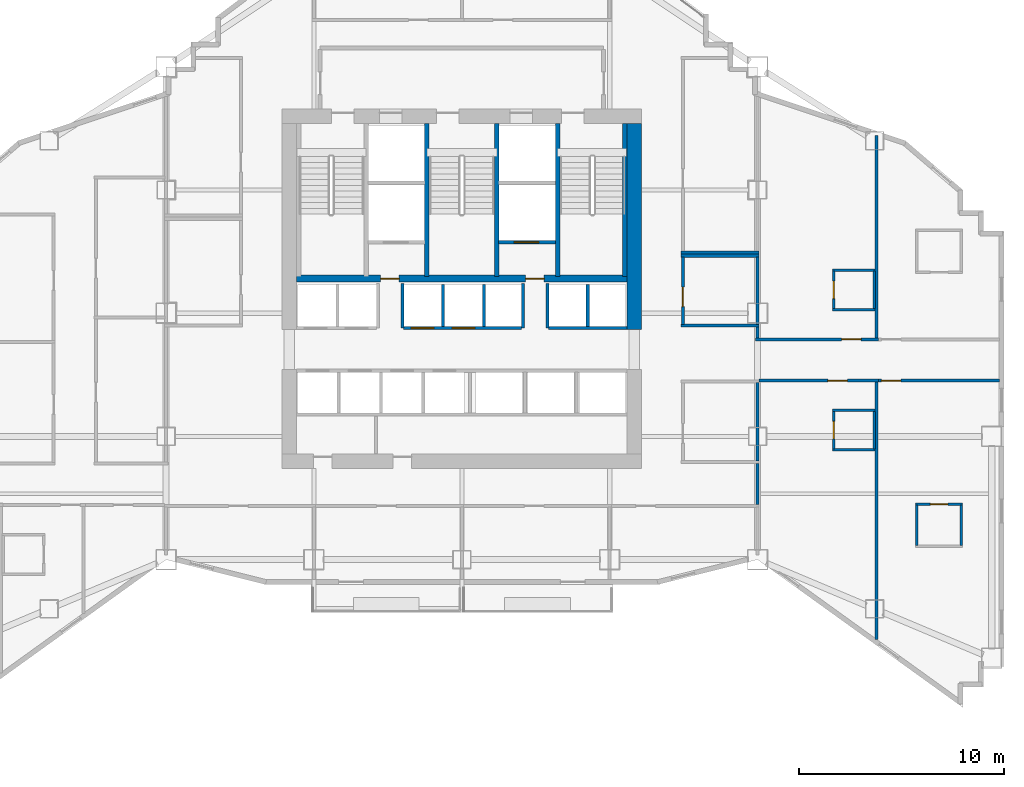
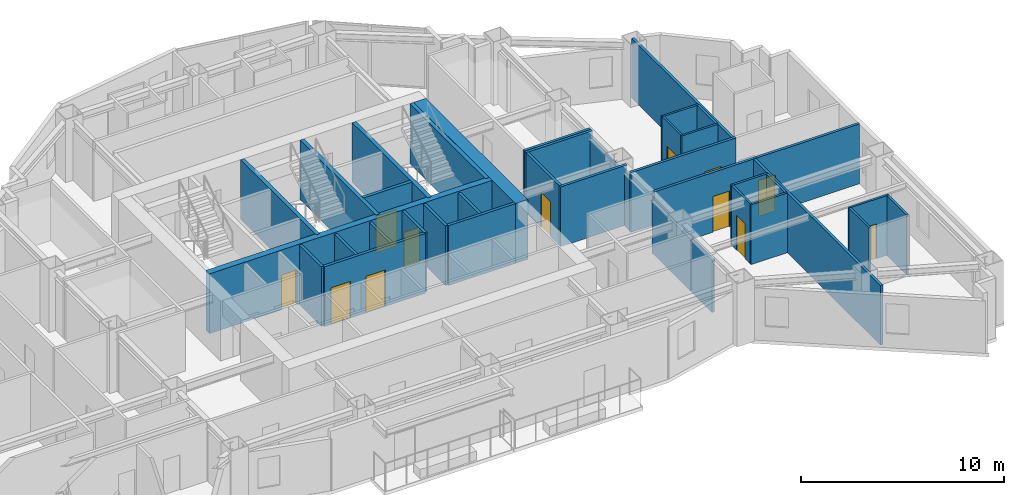
# One storey, part 8 of 14: 39 walls, 12 doors, 12 openings.
"""IFC4 building model written with IfcOpenShell, lengths in metres."""

from ifc_helpers import new_model, si_unit, direction, frame, frame_2d, origin, place, context, subcontext, project, spatial, rectangle, extrude, material, layer, layer_set, type_object, element, fill, save


model = new_model("IFC4")

# Units and contexts
model_context = context("Model", 3, precision=1e-05, world=origin(), true_north=direction((0.0, 1.0)))
body_context = subcontext(model_context, "Body", "Model", "MODEL_VIEW")
ifc_project = project(units=[si_unit("LENGTHUNIT", "METRE"), si_unit("AREAUNIT", "SQUARE_METRE"), si_unit("VOLUMEUNIT", "CUBIC_METRE"), si_unit("PLANEANGLEUNIT", "RADIAN"), si_unit("MASSUNIT", "GRAM", prefix="KILO")], contexts=[model_context])

# Site, building, storey
site_placement = place(None, origin())
site = spatial("IfcSite", under=ifc_project, at=site_placement, CompositionType="ELEMENT")
building_placement = place(site_placement, origin())
building = spatial("IfcBuilding", under=site, at=building_placement, Name="Haolan Belvedere Tower", CompositionType="ELEMENT")
storey_placement = place(building_placement, frame((0.0, 0.0, 98.39990234375)))
storey = spatial("IfcBuildingStorey", under=building, at=storey_placement, Name="L24", CompositionType="ELEMENT", Elevation=98.39990234375)

# Walls
ifc_material_1 = material(Name="Concrete C60/75", Category="concrete")
ifc_layer_1 = layer(ifc_material_1, 0.699951171875, Name="Concrete C60/75")
ifc_layer_set_1 = layer_set([ifc_layer_1], Name="Concrete C60/75")
wall_type_1 = type_object("IfcWallType", Name="WL-CORE-700", PredefinedType="SHEAR", material=ifc_layer_set_1)
wall_1_placement = place(storey_placement, frame((46.800048828125, 32.800048828125, 0.0), z_axis=(0.0, 0.0, 1.0), x_axis=(0.0, 1.0, 0.0)))
element("IfcWall", 1, at=wall_1_placement, inside=storey, type_object=wall_type_1, Name="L24 central core shear wall EN", PredefinedType="SHEAR", context=body_context, shape_type="SweptSolid", body=[
    extrude(rectangle(XDim=10.050048828125, YDim=0.699951171875, at=frame_2d((5.02490234375, 0.0))), origin(), (0.0, 0.0, 1.0), 3.60009765625),
])
ifc_material_2 = material(Name="Double gypsum acoustic stud partition", Category="masonry")
ifc_layer_2 = layer(ifc_material_2, 0.14990234375, Name="Double gypsum acoustic stud partition")
ifc_layer_set_2 = layer_set([ifc_layer_2], Name="Double gypsum acoustic stud partition")
wall_type_2 = type_object("IfcWallType", Name="WL-PART-150", PredefinedType="PARTITIONING", material=ifc_layer_set_2)
for number, where, z_axis, x_axis, name in (
    (2, (49.080078125, 36.39990234375, 0.0), (0.0, 0.0, 1.0), (1.0, 0.0, 0.0), "L24 interior partition IW-L24-AWC-N"),
    (3, (49.080078125, 33.0, 0.0), (0.0, 0.0, 1.0), (1.0, 0.0, 0.0), "L24 interior partition IW-L24-AWC-S"),
):
    element("IfcWall", number, at=place(storey_placement, frame(where, z_axis=z_axis, x_axis=x_axis)), inside=storey, type_object=wall_type_2, Name=name, PredefinedType="PARTITIONING", context=body_context, shape_type="SweptSolid", body=[
        extrude(rectangle(XDim=3.7998046875, YDim=0.14990234375, at=frame_2d((1.89990234375, 0.0))), origin(), (0.0, 0.0, 1.0), 3.60009765625),
    ])

# Wall, opening, door
wall_2_placement = place(storey_placement, frame((49.159912109375, 33.06005859375, 0.0), z_axis=(0.0, 0.0, 1.0), x_axis=(0.0, 1.0, 0.0)))
wall_2 = element("IfcWall", 4, at=wall_2_placement, inside=storey, type_object=wall_type_2, Name="L24 interior partition IW-L24-AWC-W", PredefinedType="PARTITIONING", context=body_context, shape_type="SweptSolid", body=[
    extrude(rectangle(XDim=3.280029296875, YDim=0.14990234375, at=frame_2d((1.64013671875, 0.0))), origin(), (0.0, 0.0, 1.0), 3.60009765625),
])
opening_1_placement = place(wall_2_placement, frame((0.860107421875, 0.0, 0.0)))
opening_1 = element("IfcOpeningElement", 5, at=opening_1_placement, cuts=wall_2, Name="Opening ID-03", PredefinedType="OPENING", context=body_context, shape_type="SweptSolid", body=[
    extrude(rectangle(XDim=0.949951171875, YDim=2.1201171875, at=frame_2d((0.47509765625, 1.06005859375))), frame((0.0, 0.0849609375, 0.0), z_axis=(0.0, -1.0, 0.0), x_axis=(1.0, 0.0, 0.0)), (0.0, 0.0, 1.0), 0.169921875),
])
ifc_material_3 = material(Name="Painted solid-core timber", Category="wood")
door_type_1 = type_object("IfcDoorType", Name="DR-INT-950", OperationType="NOTDEFINED", PredefinedType="DOOR", material=ifc_material_3)
door_1_placement = place(opening_1_placement, origin())
door_1 = element("IfcDoor", 6, at=door_1_placement, inside=storey, type_object=door_type_1, Name="L24 door ID-L24-AWC", OperationType="SINGLE_SWING_RIGHT", OverallHeight=2.1201171875, OverallWidth=0.949951171875, PredefinedType="DOOR", context=body_context, shape_type="SweptSolid", body=[
    extrude(rectangle(XDim=0.949951171875, YDim=2.1201171875, at=frame_2d((0.47509765625, 1.06005859375))), frame((0.0, 0.02490234375, 0.0), z_axis=(0.0, -1.0, 0.0), x_axis=(1.0, 0.0, 0.0)), (0.0, 0.0, 1.0), 0.050048828125),
])
fill(opening_1, door_1)

# Walls
wall_3_placement = place(storey_placement, frame((52.800048828125, 33.06005859375, 0.0), z_axis=(0.0, 0.0, 1.0), x_axis=(0.0, 1.0, 0.0)))
element("IfcWall", 7, at=wall_3_placement, inside=storey, type_object=wall_type_2, Name="L24 interior partition IW-L24-AWC-E", PredefinedType="PARTITIONING", context=body_context, shape_type="SweptSolid", body=[
    extrude(rectangle(XDim=3.280029296875, YDim=0.14990234375, at=frame_2d((1.64013671875, 0.0))), origin(), (0.0, 0.0, 1.0), 3.14501953125),
])
wall_4_placement = place(storey_placement, frame((49.080078125, 36.56005859375, 0.0), z_axis=(0.0, 0.0, 1.0), x_axis=(1.0, 0.0, 0.0)))
element("IfcWall", 8, at=wall_4_placement, inside=storey, type_object=wall_type_2, Name="L24 interior partition IW-L24-SAL-S", PredefinedType="PARTITIONING", context=body_context, shape_type="SweptSolid", body=[
    extrude(rectangle(XDim=3.7998046875, YDim=0.14990234375, at=frame_2d((1.89990234375, 0.0))), origin(), (0.0, 0.0, 1.0), 3.60009765625),
])
wall_5_placement = place(storey_placement, frame((52.800048828125, 26.409912109375, 0.0), z_axis=(0.0, 0.0, 1.0), x_axis=(0.0, 1.0, 0.0)))
element("IfcWall", 9, at=wall_5_placement, inside=storey, type_object=wall_type_2, Name="L24 interior partition IW-L24-PKTE-E", PredefinedType="PARTITIONING", context=body_context, shape_type="SweptSolid", body=[
    extrude(rectangle(XDim=3.81005859375, YDim=0.14990234375, at=frame_2d((1.905029296875, 0.0))), origin(), (0.0, 0.0, 1.0), 3.14501953125),
])

# Wall, opening, door
wall_6_placement = place(storey_placement, frame((52.699951171875, 32.330078125, 0.0), z_axis=(0.0, 0.0, 1.0), x_axis=(1.0, 0.0, 0.0)))
wall_6 = element("IfcWall", 10, at=wall_6_placement, inside=storey, type_object=wall_type_2, Name="L24 interior partition IW-L24-T4N1-S", PredefinedType="PARTITIONING", context=body_context, shape_type="SweptSolid", body=[
    extrude(rectangle(XDim=5.989990234375, YDim=0.14990234375, at=frame_2d((2.9951171875, 0.0))), origin(), (0.0, 0.0, 1.0), 3.60009765625),
])
opening_2_placement = place(wall_6_placement, frame((4.19140625, 0.0, 0.0)))
opening_2 = element("IfcOpeningElement", 11, at=opening_2_placement, cuts=wall_6, Name="Opening ID-01", PredefinedType="OPENING", context=body_context, shape_type="SweptSolid", body=[
    extrude(rectangle(XDim=0.949951171875, YDim=2.179931640625, at=frame_2d((0.47509765625, 1.08984375))), frame((0.0, 0.0849609375, 0.0), z_axis=(0.0, -1.0, 0.0), x_axis=(1.0, 0.0, 0.0)), (0.0, 0.0, 1.0), 0.169921875),
])
ifc_material_4 = material(Name="Acoustic walnut veneer fire-rated timber", Category="wood")
door_type_2 = type_object("IfcDoorType", Name="DR-SUITE-950", OperationType="NOTDEFINED", PredefinedType="DOOR", material=ifc_material_4)
door_2_placement = place(opening_2_placement, origin())
door_2 = element("IfcDoor", 12, at=door_2_placement, inside=storey, type_object=door_type_2, Name="L24 door ID-L24-T4N1-ENT", OperationType="SINGLE_SWING_RIGHT", OverallHeight=2.179931640625, OverallWidth=0.949951171875, PredefinedType="DOOR", context=body_context, shape_type="SweptSolid", body=[
    extrude(rectangle(XDim=0.949951171875, YDim=2.179931640625, at=frame_2d((0.47509765625, 1.08984375))), frame((0.0, 0.02490234375, 0.0), z_axis=(0.0, -1.0, 0.0), x_axis=(1.0, 0.0, 0.0)), (0.0, 0.0, 1.0), 0.050048828125),
])
fill(opening_2, door_2)

# Walls
wall_7_placement = place(storey_placement, frame((52.800048828125, 32.389892578125, 0.0), z_axis=(0.0, 0.0, 1.0), x_axis=(0.0, 1.0, 0.0)))
element("IfcWall", 13, at=wall_7_placement, inside=storey, type_object=wall_type_2, Name="L24 interior partition IW-L24-T4N1-W", PredefinedType="PARTITIONING", context=body_context, shape_type="SweptSolid", body=[
    extrude(rectangle(XDim=0.550048828125, YDim=0.14990234375, at=frame_2d((0.27490234375, 0.0))), origin(), (0.0, 0.0, 1.0), 3.14501953125),
])
wall_8_placement = place(storey_placement, frame((58.590087890625, 32.389892578125, 0.0), z_axis=(0.0, 0.0, 1.0), x_axis=(0.0, 1.0, 0.0)))
element("IfcWall", 14, at=wall_8_placement, inside=storey, type_object=wall_type_2, Name="L24 interior partition IW-L24-T4N1-E", PredefinedType="PARTITIONING", context=body_context, shape_type="SweptSolid", body=[
    extrude(rectangle(XDim=9.856689453125, YDim=0.14990234375, at=frame_2d((4.92822265625, 0.0))), origin(), (0.0, 0.0, 1.0), 3.60009765625),
])

# Wall, opening, door
wall_9_placement = place(storey_placement, frame((52.882080078125, 30.320068359375, 0.0), z_axis=(0.0, 0.0, 1.0), x_axis=(1.0, 0.0, 0.0)))
wall_9 = element("IfcWall", 15, at=wall_9_placement, inside=storey, type_object=wall_type_2, Name="L24 interior partition IW-L24-T4S1-N", PredefinedType="PARTITIONING", context=body_context, shape_type="SweptSolid", body=[
    extrude(rectangle(XDim=5.807861328125, YDim=0.14990234375, at=frame_2d((2.90380859375, 0.0))), origin(), (0.0, 0.0, 1.0), 3.60009765625),
])
opening_3_placement = place(wall_9_placement, frame((4.290771484375, 0.0, 0.0), z_axis=(0.0, 0.0, 1.0), x_axis=(-1.0, 0.0, 0.0)))
opening_3 = element("IfcOpeningElement", 16, at=opening_3_placement, cuts=wall_9, Name="Opening ID-02", PredefinedType="OPENING", context=body_context, shape_type="SweptSolid", body=[
    extrude(rectangle(XDim=0.949951171875, YDim=2.14990234375, at=frame_2d((0.47509765625, 1.074951171875))), frame((0.0, 0.0849609375, 0.0), z_axis=(0.0, -1.0, 0.0), x_axis=(1.0, 0.0, 0.0)), (0.0, 0.0, 1.0), 0.169921875),
])
ifc_material_5 = material(Name="Acoustic oak veneer fire-rated timber", Category="wood")
door_type_3 = type_object("IfcDoorType", Name="DR-GUEST-950", OperationType="NOTDEFINED", PredefinedType="DOOR", material=ifc_material_5)
door_3_placement = place(opening_3_placement, origin())
door_3 = element("IfcDoor", 17, at=door_3_placement, inside=storey, type_object=door_type_3, Name="L24 door ID-L24-T4S1-ENT", OperationType="SINGLE_SWING_RIGHT", OverallHeight=2.14990234375, OverallWidth=0.949951171875, PredefinedType="DOOR", context=body_context, shape_type="SweptSolid", body=[
    extrude(rectangle(XDim=0.949951171875, YDim=2.14990234375, at=frame_2d((0.47509765625, 1.074951171875))), frame((0.0, 0.02490234375, 0.0), z_axis=(0.0, -1.0, 0.0), x_axis=(1.0, 0.0, 0.0)), (0.0, 0.0, 1.0), 0.050048828125),
])
fill(opening_3, door_3)

# Walls
wall_10_placement = place(storey_placement, frame((52.800048828125, 24.280029296875, 0.0), z_axis=(0.0, 0.0, 1.0), x_axis=(0.0, 1.0, 0.0)))
element("IfcWall", 18, at=wall_10_placement, inside=storey, type_object=wall_type_2, Name="L24 interior partition IW-L24-T4S1-W", PredefinedType="PARTITIONING", context=body_context, shape_type="SweptSolid", body=[
    extrude(rectangle(XDim=2.010009765625, YDim=0.14990234375, at=frame_2d((1.0048828125, 0.0))), origin(), (0.0, 0.0, 1.0), 3.14501953125),
])
wall_11_placement = place(storey_placement, frame((58.590087890625, 17.70849609375, 0.0), z_axis=(0.0, 0.0, 1.0), x_axis=(0.0, 1.0, 0.0)))
element("IfcWall", 19, at=wall_11_placement, inside=storey, type_object=wall_type_2, Name="L24 interior partition IW-L24-T4S1-E", PredefinedType="PARTITIONING", context=body_context, shape_type="SweptSolid", body=[
    extrude(rectangle(XDim=12.551513671875, YDim=0.14990234375, at=frame_2d((6.27587890625, 0.0))), origin(), (0.0, 0.0, 1.0), 3.60009765625),
])

# Wall, opening, door
wall_12_placement = place(storey_placement, frame((58.69189453125, 30.320068359375, 0.0), z_axis=(0.0, 0.0, 1.0), x_axis=(1.0, 0.0, 0.0)))
wall_12 = element("IfcWall", 20, at=wall_12_placement, inside=storey, type_object=wall_type_2, Name="L24 interior partition IW-L24-T4S2-N", PredefinedType="PARTITIONING", context=body_context, shape_type="SweptSolid", body=[
    extrude(rectangle(XDim=5.883056640625, YDim=0.14990234375, at=frame_2d((2.94140625, 0.0))), origin(), (0.0, 0.0, 1.0), 3.60009765625),
])
opening_4_placement = place(wall_12_placement, frame((1.08984375, 0.0, 0.0), z_axis=(0.0, 0.0, 1.0), x_axis=(-1.0, 0.0, 0.0)))
opening_4 = element("IfcOpeningElement", 21, at=opening_4_placement, cuts=wall_12, Name="Opening ID-01", PredefinedType="OPENING", context=body_context, shape_type="SweptSolid", body=[
    extrude(rectangle(XDim=0.949951171875, YDim=2.179931640625, at=frame_2d((0.47509765625, 1.08984375))), frame((0.0, 0.0849609375, 0.0), z_axis=(0.0, -1.0, 0.0), x_axis=(1.0, 0.0, 0.0)), (0.0, 0.0, 1.0), 0.169921875),
])
door_4_placement = place(opening_4_placement, origin())
door_4 = element("IfcDoor", 22, at=door_4_placement, inside=storey, type_object=door_type_2, Name="L24 door ID-L24-T4S2-ENT", OperationType="SINGLE_SWING_LEFT", OverallHeight=2.179931640625, OverallWidth=0.949951171875, PredefinedType="DOOR", context=body_context, shape_type="SweptSolid", body=[
    extrude(rectangle(XDim=0.949951171875, YDim=2.179931640625, at=frame_2d((0.47509765625, 1.08984375))), frame((0.0, 0.02490234375, 0.0), z_axis=(0.0, -1.0, 0.0), x_axis=(1.0, 0.0, 0.0)), (0.0, 0.0, 1.0), 0.050048828125),
])
fill(opening_4, door_4)

# Walls
ifc_material_6 = material(Name="Gypsum fire shaftwall assembly", Category="masonry")
ifc_layer_3 = layer(ifc_material_6, 0.1650390625, Name="Gypsum fire shaftwall assembly")
ifc_layer_set_3 = layer_set([ifc_layer_3], Name="Gypsum fire shaftwall assembly")
wall_type_3 = type_object("IfcWallType", Name="WL-SHAFT-160", PredefinedType="SOLIDWALL", material=ifc_layer_set_3)
for number, where, z_axis, x_axis, name in (
    (23, (35.510009765625, 32.8798828125, 0.0), (0.0, 0.0, 1.0), (0.0, 1.0, 0.0), "L24 interior partition IW-L24-SVP-E-SV1"),
    (24, (41.3701171875, 32.8798828125, 0.0), (0.0, 0.0, 1.0), (0.0, 1.0, 0.0), "L24 interior partition IW-L24-SVP-W-SV2"),
    (25, (42.570068359375, 32.8798828125, 0.0), (0.0, 0.0, 1.0), (0.0, 1.0, 0.0), "L24 interior partition IW-L24-SVP-E-SV2"),
):
    element("IfcWall", number, at=place(storey_placement, frame(where, z_axis=z_axis, x_axis=x_axis)), inside=storey, type_object=wall_type_3, Name=name, PredefinedType="SOLIDWALL", context=body_context, shape_type="SweptSolid", body=[
        extrude(rectangle(XDim=2.170166015625, YDim=0.14990234375, at=frame_2d((1.0849609375, 0.0))), origin(), (0.0, 0.0, 1.0), 3.60009765625),
    ])

# Wall, openings, doors
wall_13_placement = place(storey_placement, frame((35.570068359375, 32.8798828125, 0.0), z_axis=(0.0, 0.0, 1.0), x_axis=(1.0, 0.0, 0.0)))
wall_13 = element("IfcWall", 26, at=wall_13_placement, inside=storey, type_object=wall_type_3, Name="L24 interior partition IW-L24-ROW-PN2", PredefinedType="SOLIDWALL", context=body_context, shape_type="SweptSolid", body=[
    extrude(rectangle(XDim=5.739990234375, YDim=0.159912109375, at=frame_2d((2.8701171875, 0.0))), origin(), (0.0, 0.0, 1.0), 3.60009765625),
])
opening_5_placement = place(wall_13_placement, frame((1.47021484375, 0.0, 0.0), z_axis=(0.0, 0.0, 1.0), x_axis=(-1.0, 0.0, 0.0)))
opening_5 = element("IfcOpeningElement", 27, at=opening_5_placement, cuts=wall_13, Name="Opening LD-01", PredefinedType="OPENING", context=body_context, shape_type="SweptSolid", body=[
    extrude(rectangle(XDim=1.10009765625, YDim=2.199951171875, at=frame_2d((0.550048828125, 1.10009765625))), frame((0.0, 0.08984375, 0.0), z_axis=(0.0, -1.0, 0.0), x_axis=(1.0, 0.0, 0.0)), (0.0, 0.0, 1.0), 0.179931640625),
])
opening_6_placement = place(wall_13_placement, frame((3.460205078125, 0.0, 0.0), z_axis=(0.0, 0.0, 1.0), x_axis=(-1.0, 0.0, 0.0)))
opening_6 = element("IfcOpeningElement", 28, at=opening_6_placement, cuts=wall_13, Name="Opening LD-01", PredefinedType="OPENING", context=body_context, shape_type="SweptSolid", body=[
    extrude(rectangle(XDim=1.10009765625, YDim=2.199951171875, at=frame_2d((0.550048828125, 1.10009765625))), frame((0.0, 0.08984375, 0.0), z_axis=(0.0, -1.0, 0.0), x_axis=(1.0, 0.0, 0.0)), (0.0, 0.0, 1.0), 0.179931640625),
])
ifc_material_7 = material(Name="Brushed champagne stainless steel 316L", Category="steel")
door_type_4 = type_object("IfcDoorType", Name="DR-LIFT-1100", OperationType="SLIDING_TO_LEFT", PredefinedType="DOOR", material=ifc_material_7)
door_5_placement = place(opening_5_placement, origin())
door_5 = element("IfcDoor", 29, at=door_5_placement, inside=storey, type_object=door_type_4, Name="L24 door ID-L24-LD-PL3", OperationType="SLIDING_TO_LEFT", OverallHeight=2.199951171875, OverallWidth=1.10009765625, PredefinedType="DOOR", context=body_context, shape_type="SweptSolid", body=[
    extrude(rectangle(XDim=1.10009765625, YDim=2.199951171875, at=frame_2d((0.550048828125, 1.10009765625))), frame((0.0, 0.02490234375, 0.0), z_axis=(0.0, -1.0, 0.0), x_axis=(1.0, 0.0, 0.0)), (0.0, 0.0, 1.0), 0.050048828125),
])
fill(opening_5, door_5)
door_6_placement = place(opening_6_placement, origin())
door_6 = element("IfcDoor", 30, at=door_6_placement, inside=storey, type_object=door_type_4, Name="L24 door ID-L24-LD-PL4", OperationType="SLIDING_TO_LEFT", OverallHeight=2.199951171875, OverallWidth=1.10009765625, PredefinedType="DOOR", context=body_context, shape_type="SweptSolid", body=[
    extrude(rectangle(XDim=1.10009765625, YDim=2.199951171875, at=frame_2d((0.550048828125, 1.10009765625))), frame((0.0, 0.02490234375, 0.0), z_axis=(0.0, -1.0, 0.0), x_axis=(1.0, 0.0, 0.0)), (0.0, 0.0, 1.0), 0.050048828125),
])
fill(opening_6, door_6)

# Walls
wall_14_placement = place(storey_placement, frame((42.6298828125, 32.8798828125, 0.0), z_axis=(0.0, 0.0, 1.0), x_axis=(1.0, 0.0, 0.0)))
element("IfcWall", 31, at=wall_14_placement, inside=storey, type_object=wall_type_3, Name="L24 interior partition IW-L24-ROW-PN3", PredefinedType="SOLIDWALL", context=body_context, shape_type="SweptSolid", body=[
    extrude(rectangle(XDim=3.820068359375, YDim=0.159912109375, at=frame_2d((1.91015625, 0.0))), origin(), (0.0, 0.0, 1.0), 3.60009765625),
])
for number, where, z_axis, x_axis, name in (
    (32, (37.47998046875, 32.949951171875, 0.0), (0.0, 0.0, 1.0), (0.0, 1.0, 0.0), "L24 interior partition IW-L24-DIV-PL3"),
    (33, (39.469970703125, 32.949951171875, 0.0), (0.0, 0.0, 1.0), (0.0, 1.0, 0.0), "L24 interior partition IW-L24-DIV-PL4"),
    (34, (44.530029296875, 32.949951171875, 0.0), (0.0, 0.0, 1.0), (0.0, 1.0, 0.0), "L24 interior partition IW-L24-DIV-PH2"),
):
    element("IfcWall", number, at=place(storey_placement, frame(where, z_axis=z_axis, x_axis=x_axis)), inside=storey, type_object=wall_type_3, Name=name, PredefinedType="SOLIDWALL", context=body_context, shape_type="SweptSolid", body=[
        extrude(rectangle(XDim=2.050048828125, YDim=0.14990234375, at=frame_2d((1.02490234375, 0.0))), origin(), (0.0, 0.0, 1.0), 3.60009765625),
    ])

# Wall, opening, door
ifc_material_8 = material(Name="Precast concrete C40/50", Category="concrete")
ifc_layer_4 = layer(ifc_material_8, 0.179931640625, Name="Precast concrete C40/50")
ifc_layer_set_4 = layer_set([ifc_layer_4], Name="Precast concrete C40/50")
wall_type_4 = type_object("IfcWallType", Name="WL-SHAFT-180", PredefinedType="SOLIDWALL", material=ifc_layer_set_4)
wall_15_placement = place(storey_placement, frame((40.195068359375, 37.050048828125, 0.0), z_axis=(0.0, 0.0, 1.0), x_axis=(1.0, 0.0, 0.0)))
wall_15 = element("IfcWall", 35, at=wall_15_placement, inside=storey, type_object=wall_type_4, Name="L24 interior partition IW-L24-SV2-S", PredefinedType="SOLIDWALL", context=body_context, shape_type="SweptSolid", body=[
    extrude(rectangle(XDim=2.77001953125, YDim=0.179931640625, at=frame_2d((1.385009765625, 0.0))), origin(), (0.0, 0.0, 1.0), 3.60009765625),
])
opening_7_placement = place(wall_15_placement, frame((1.945068359375, 0.0, 0.0), z_axis=(0.0, 0.0, 1.0), x_axis=(-1.0, 0.0, 0.0)))
opening_7 = element("IfcOpeningElement", 36, at=opening_7_placement, cuts=wall_15, Name="Opening LD-02", PredefinedType="OPENING", context=body_context, shape_type="SweptSolid", body=[
    extrude(rectangle(XDim=1.199951171875, YDim=2.199951171875, at=frame_2d((0.60009765625, 1.10009765625))), frame((0.0, 0.099853515625, 0.0), z_axis=(0.0, -1.0, 0.0), x_axis=(1.0, 0.0, 0.0)), (0.0, 0.0, 1.0), 0.199951171875),
])
door_type_5 = type_object("IfcDoorType", Name="DR-LIFT-1200", OperationType="SLIDING_TO_RIGHT", PredefinedType="DOOR", material=ifc_material_7)
door_7_placement = place(opening_7_placement, origin())
door_7 = element("IfcDoor", 37, at=door_7_placement, inside=storey, type_object=door_type_5, Name="L24 door ID-L24-LD-SV2", OperationType="SLIDING_TO_RIGHT", OverallHeight=2.199951171875, OverallWidth=1.199951171875, PredefinedType="DOOR", context=body_context, shape_type="SweptSolid", body=[
    extrude(rectangle(XDim=1.199951171875, YDim=2.199951171875, at=frame_2d((0.60009765625, 1.10009765625))), frame((0.0, 0.02490234375, 0.0), z_axis=(0.0, -1.0, 0.0), x_axis=(1.0, 0.0, 0.0)), (0.0, 0.0, 1.0), 0.050048828125),
])
fill(opening_7, door_7)

# Walls
ifc_material_9 = material(Name="Concrete C50/60", Category="concrete")
ifc_layer_5 = layer(ifc_material_9, 0.219970703125, Name="Concrete C50/60")
ifc_layer_set_5 = layer_set([ifc_layer_5], Name="Concrete C50/60")
wall_type_5 = type_object("IfcWallType", Name="WL-STAIR-220", PredefinedType="SHEAR", material=ifc_layer_set_5)
for number, where, z_axis, x_axis, name in (
    (38, (36.699951171875, 35.389892578125, 0.0), (0.0, 0.0, 1.0), (0.0, 1.0, 0.0), "L24 structural stair core wall ST3W"),
    (39, (40.10009765625, 35.389892578125, 0.0), (0.0, 0.0, 1.0), (0.0, 1.0, 0.0), "L24 structural stair core wall ST3E"),
    (40, (43.06005859375, 35.389892578125, 0.0), (0.0, 0.0, 1.0), (0.0, 1.0, 0.0), "L24 structural stair core wall ST2W"),
    (41, (46.337890625, 35.389892578125, 0.0), (0.0, 0.0, 1.0), (0.0, 1.0, 0.0), "L24 structural stair core wall ST2E"),
):
    element("IfcWall", number, at=place(storey_placement, frame(where, z_axis=z_axis, x_axis=x_axis)), inside=storey, type_object=wall_type_5, Name=name, PredefinedType="SHEAR", context=body_context, shape_type="SweptSolid", body=[
        extrude(rectangle(XDim=7.460205078125, YDim=0.219970703125, at=frame_2d((3.72998046875, 0.0))), origin(), (0.0, 0.0, 1.0), 3.60009765625),
    ])

# Wall, openings, doors
ifc_layer_6 = layer(ifc_material_1, 0.360107421875, Name="Concrete C60/75")
ifc_layer_set_6 = layer_set([ifc_layer_6], Name="Concrete C60/75")
wall_type_6 = type_object("IfcWallType", Name="WL-WEB-350", PredefinedType="SHEAR", material=ifc_layer_set_6)
wall_16_placement = place(storey_placement, frame((30.35009765625, 35.2900390625, 0.0), z_axis=(0.0, 0.0, 1.0), x_axis=(1.0, 0.0, 0.0)))
wall_16 = element("IfcWall", 42, at=wall_16_placement, inside=storey, type_object=wall_type_6, Name="L24 central core internal shear web", PredefinedType="SHEAR", context=body_context, shape_type="SweptSolid", body=[
    extrude(rectangle(XDim=16.099853515625, YDim=0.360107421875, at=frame_2d((8.0498046875, 0.0))), origin(), (0.0, 0.0, 1.0), 3.60009765625),
])
opening_8_placement = place(wall_16_placement, frame((5.0, 0.0, 0.0), z_axis=(0.0, 0.0, 1.0), x_axis=(-1.0, 0.0, 0.0)))
opening_8 = element("IfcOpeningElement", 43, at=opening_8_placement, cuts=wall_16, Name="Opening FD-05", PredefinedType="OPENING", context=body_context, shape_type="SweptSolid", body=[
    extrude(rectangle(XDim=0.89990234375, YDim=2.10009765625, at=frame_2d((0.449951171875, 1.050048828125))), frame((0.0, 0.18994140625, 0.0), z_axis=(0.0, -1.0, 0.0), x_axis=(1.0, 0.0, 0.0)), (0.0, 0.0, 1.0), 0.380126953125),
])
opening_9_placement = place(wall_16_placement, frame((12.059814453125, 0.0, 0.0), z_axis=(0.0, 0.0, 1.0), x_axis=(-1.0, 0.0, 0.0)))
opening_9 = element("IfcOpeningElement", 44, at=opening_9_placement, cuts=wall_16, Name="Opening FD-05", PredefinedType="OPENING", context=body_context, shape_type="SweptSolid", body=[
    extrude(rectangle(XDim=0.89990234375, YDim=2.10009765625, at=frame_2d((0.449951171875, 1.050048828125))), frame((0.0, 0.18994140625, 0.0), z_axis=(0.0, -1.0, 0.0), x_axis=(1.0, 0.0, 0.0)), (0.0, 0.0, 1.0), 0.380126953125),
])
ifc_material_10 = material(Name="Galvanised fire-rated steel", Category="steel")
door_type_6 = type_object("IfcDoorType", Name="DR-FD60-900", OperationType="NOTDEFINED", PredefinedType="DOOR", material=ifc_material_10)
door_8_placement = place(opening_8_placement, origin())
door_8 = element("IfcDoor", 45, at=door_8_placement, inside=storey, type_object=door_type_6, Name="L24 door CD-L24-SVL-SV1", OperationType="SINGLE_SWING_RIGHT", OverallHeight=2.10009765625, OverallWidth=0.89990234375, PredefinedType="DOOR", context=body_context, shape_type="SweptSolid", body=[
    extrude(rectangle(XDim=0.89990234375, YDim=2.10009765625, at=frame_2d((0.449951171875, 1.050048828125))), frame((0.0, 0.02490234375, 0.0), z_axis=(0.0, -1.0, 0.0), x_axis=(1.0, 0.0, 0.0)), (0.0, 0.0, 1.0), 0.050048828125),
])
fill(opening_8, door_8)
door_9_placement = place(opening_9_placement, origin())
door_9 = element("IfcDoor", 46, at=door_9_placement, inside=storey, type_object=door_type_6, Name="L24 door CD-L24-SVL-SV2", OperationType="SINGLE_SWING_RIGHT", OverallHeight=2.10009765625, OverallWidth=0.89990234375, PredefinedType="DOOR", context=body_context, shape_type="SweptSolid", body=[
    extrude(rectangle(XDim=0.89990234375, YDim=2.10009765625, at=frame_2d((0.449951171875, 1.050048828125))), frame((0.0, 0.02490234375, 0.0), z_axis=(0.0, -1.0, 0.0), x_axis=(1.0, 0.0, 0.0)), (0.0, 0.0, 1.0), 0.050048828125),
])
fill(opening_9, door_9)

# Walls
ifc_material_11 = material(Name="Moisture-resistant gypsum tile partition", Category="masonry")
ifc_layer_7 = layer(ifc_material_11, 0.1201171875, Name="Moisture-resistant gypsum tile partition")
ifc_layer_set_7 = layer_set([ifc_layer_7], Name="Moisture-resistant gypsum tile partition")
wall_type_7 = type_object("IfcWallType", Name="WL-WET-120", PredefinedType="PARTITIONING", material=ifc_layer_set_7)
for number, where, z_axis, x_axis, name in (
    (47, (56.449951171875, 35.699951171875, 0.0), (0.0, 0.0, 1.0), (1.0, 0.0, 0.0), "L24 interior partition IW-L24-T4N1-BN"),
    (48, (56.449951171875, 33.780029296875, 0.0), (0.0, 0.0, 1.0), (1.0, 0.0, 0.0), "L24 interior partition IW-L24-T4N1-BS"),
):
    element("IfcWall", number, at=place(storey_placement, frame(where, z_axis=z_axis, x_axis=x_axis)), inside=storey, type_object=wall_type_7, Name=name, PredefinedType="PARTITIONING", context=body_context, shape_type="SweptSolid", body=[
        extrude(rectangle(XDim=2.080078125, YDim=0.1201171875, at=frame_2d((1.0400390625, 0.0))), origin(), (0.0, 0.0, 1.0), 3.60009765625),
    ])

# Wall, opening, door
wall_17_placement = place(storey_placement, frame((56.510009765625, 33.824951171875, 0.0), z_axis=(0.0, 0.0, 1.0), x_axis=(0.0, 1.0, 0.0)))
wall_17 = element("IfcWall", 49, at=wall_17_placement, inside=storey, type_object=wall_type_7, Name="L24 interior partition IW-L24-T4N1-BW", PredefinedType="PARTITIONING", context=body_context, shape_type="SweptSolid", body=[
    extrude(rectangle(XDim=1.830078125, YDim=0.1201171875, at=frame_2d((0.9150390625, 0.0))), origin(), (0.0, 0.0, 1.0), 3.60009765625),
])
opening_10_placement = place(wall_17_placement, frame((1.340087890625, 0.0, 0.0), z_axis=(0.0, 0.0, 1.0), x_axis=(-1.0, 0.0, 0.0)))
opening_10 = element("IfcOpeningElement", 50, at=opening_10_placement, cuts=wall_17, Name="Opening ID-05", PredefinedType="OPENING", context=body_context, shape_type="SweptSolid", body=[
    extrude(rectangle(XDim=0.85009765625, YDim=2.10009765625, at=frame_2d((0.425048828125, 1.050048828125))), frame((0.0, 0.070068359375, 0.0), z_axis=(0.0, -1.0, 0.0), x_axis=(1.0, 0.0, 0.0)), (0.0, 0.0, 1.0), 0.14013671875),
])
ifc_material_12 = material(Name="Moisture-resistant lacquered timber", Category="wood")
door_type_7 = type_object("IfcDoorType", Name="DR-BATH-850", OperationType="NOTDEFINED", PredefinedType="DOOR", material=ifc_material_12)
door_10_placement = place(opening_10_placement, origin())
door_10 = element("IfcDoor", 51, at=door_10_placement, inside=storey, type_object=door_type_7, Name="L24 door ID-L24-T4N1-BATH", OperationType="SINGLE_SWING_LEFT", OverallHeight=2.10009765625, OverallWidth=0.85009765625, PredefinedType="DOOR", context=body_context, shape_type="SweptSolid", body=[
    extrude(rectangle(XDim=0.85009765625, YDim=2.10009765625, at=frame_2d((0.425048828125, 1.050048828125))), frame((0.0, 0.02490234375, 0.0), z_axis=(0.0, -1.0, 0.0), x_axis=(1.0, 0.0, 0.0)), (0.0, 0.0, 1.0), 0.050048828125),
])
fill(opening_10, door_10)

# Walls
wall_18_placement = place(storey_placement, frame((58.489990234375, 33.824951171875, 0.0), z_axis=(0.0, 0.0, 1.0), x_axis=(0.0, 1.0, 0.0)))
element("IfcWall", 52, at=wall_18_placement, inside=storey, type_object=wall_type_7, Name="L24 interior partition IW-L24-T4N1-BE", PredefinedType="PARTITIONING", context=body_context, shape_type="SweptSolid", body=[
    extrude(rectangle(XDim=1.830078125, YDim=0.1201171875, at=frame_2d((0.9150390625, 0.0))), origin(), (0.0, 0.0, 1.0), 3.60009765625),
])
for number, where, z_axis, x_axis, name in (
    (53, (56.449951171875, 28.8701171875, 0.0), (0.0, 0.0, 1.0), (1.0, 0.0, 0.0), "L24 interior partition IW-L24-T4S1-BN"),
    (54, (56.449951171875, 26.949951171875, 0.0), (0.0, 0.0, 1.0), (1.0, 0.0, 0.0), "L24 interior partition IW-L24-T4S1-BS"),
):
    element("IfcWall", number, at=place(storey_placement, frame(where, z_axis=z_axis, x_axis=x_axis)), inside=storey, type_object=wall_type_7, Name=name, PredefinedType="PARTITIONING", context=body_context, shape_type="SweptSolid", body=[
        extrude(rectangle(XDim=2.080078125, YDim=0.1201171875, at=frame_2d((1.0400390625, 0.0))), origin(), (0.0, 0.0, 1.0), 3.60009765625),
    ])

# Wall, opening, door
wall_19_placement = place(storey_placement, frame((56.510009765625, 26.9951171875, 0.0), z_axis=(0.0, 0.0, 1.0), x_axis=(0.0, 1.0, 0.0)))
wall_19 = element("IfcWall", 55, at=wall_19_placement, inside=storey, type_object=wall_type_7, Name="L24 interior partition IW-L24-T4S1-BW", PredefinedType="PARTITIONING", context=body_context, shape_type="SweptSolid", body=[
    extrude(rectangle(XDim=1.829833984375, YDim=0.1201171875, at=frame_2d((0.9150390625, 0.0))), origin(), (0.0, 0.0, 1.0), 3.60009765625),
])
opening_11_placement = place(wall_19_placement, frame((1.340087890625, 0.0, 0.0), z_axis=(0.0, 0.0, 1.0), x_axis=(-1.0, 0.0, 0.0)))
opening_11 = element("IfcOpeningElement", 56, at=opening_11_placement, cuts=wall_19, Name="Opening ID-05", PredefinedType="OPENING", context=body_context, shape_type="SweptSolid", body=[
    extrude(rectangle(XDim=0.85009765625, YDim=2.10009765625, at=frame_2d((0.425048828125, 1.050048828125))), frame((0.0, 0.070068359375, 0.0), z_axis=(0.0, -1.0, 0.0), x_axis=(1.0, 0.0, 0.0)), (0.0, 0.0, 1.0), 0.14013671875),
])
door_11_placement = place(opening_11_placement, origin())
door_11 = element("IfcDoor", 57, at=door_11_placement, inside=storey, type_object=door_type_7, Name="L24 door ID-L24-T4S1-BATH", OperationType="SINGLE_SWING_LEFT", OverallHeight=2.10009765625, OverallWidth=0.85009765625, PredefinedType="DOOR", context=body_context, shape_type="SweptSolid", body=[
    extrude(rectangle(XDim=0.85009765625, YDim=2.10009765625, at=frame_2d((0.425048828125, 1.050048828125))), frame((0.0, 0.02490234375, 0.0), z_axis=(0.0, -1.0, 0.0), x_axis=(1.0, 0.0, 0.0)), (0.0, 0.0, 1.0), 0.050048828125),
])
fill(opening_11, door_11)

# Wall
wall_20_placement = place(storey_placement, frame((58.489990234375, 26.9951171875, 0.0), z_axis=(0.0, 0.0, 1.0), x_axis=(0.0, 1.0, 0.0)))
element("IfcWall", 58, at=wall_20_placement, inside=storey, type_object=wall_type_7, Name="L24 interior partition IW-L24-T4S1-BE", PredefinedType="PARTITIONING", context=body_context, shape_type="SweptSolid", body=[
    extrude(rectangle(XDim=1.829833984375, YDim=0.1201171875, at=frame_2d((0.9150390625, 0.0))), origin(), (0.0, 0.0, 1.0), 3.60009765625),
])

# Wall, opening, door
wall_21_placement = place(storey_placement, frame((60.501953125, 24.300048828125, 0.0), z_axis=(0.0, 0.0, 1.0), x_axis=(1.0, 0.0, 0.0)))
wall_21 = element("IfcWall", 59, at=wall_21_placement, inside=storey, type_object=wall_type_7, Name="L24 interior partition IW-L24-T4S2-BN", PredefinedType="PARTITIONING", context=body_context, shape_type="SweptSolid", body=[
    extrude(rectangle(XDim=2.27001953125, YDim=0.1201171875, at=frame_2d((1.135009765625, 0.0))), origin(), (0.0, 0.0, 1.0), 3.60009765625),
])
opening_12_placement = place(wall_21_placement, frame((1.56005859375, 0.0, 0.0), z_axis=(0.0, 0.0, 1.0), x_axis=(-1.0, 0.0, 0.0)))
opening_12 = element("IfcOpeningElement", 60, at=opening_12_placement, cuts=wall_21, Name="Opening ID-05", PredefinedType="OPENING", context=body_context, shape_type="SweptSolid", body=[
    extrude(rectangle(XDim=0.85009765625, YDim=2.10009765625, at=frame_2d((0.425048828125, 1.050048828125))), frame((0.0, 0.070068359375, 0.0), z_axis=(0.0, -1.0, 0.0), x_axis=(1.0, 0.0, 0.0)), (0.0, 0.0, 1.0), 0.14013671875),
])
door_12_placement = place(opening_12_placement, origin())
door_12 = element("IfcDoor", 61, at=door_12_placement, inside=storey, type_object=door_type_7, Name="L24 door ID-L24-T4S2-BATH", OperationType="SINGLE_SWING_RIGHT", OverallHeight=2.10009765625, OverallWidth=0.85009765625, PredefinedType="DOOR", context=body_context, shape_type="SweptSolid", body=[
    extrude(rectangle(XDim=0.85009765625, YDim=2.10009765625, at=frame_2d((0.425048828125, 1.050048828125))), frame((0.0, 0.02490234375, 0.0), z_axis=(0.0, -1.0, 0.0), x_axis=(1.0, 0.0, 0.0)), (0.0, 0.0, 1.0), 0.050048828125),
])
fill(opening_12, door_12)

# Walls
for number, where, z_axis, x_axis, name in (
    (62, (60.56201171875, 22.294921875, 0.0), (0.0, 0.0, 1.0), (0.0, 1.0, 0.0), "L24 interior partition IW-L24-T4S2-BW"),
    (63, (62.7119140625, 22.294921875, 0.0), (0.0, 0.0, 1.0), (0.0, 1.0, 0.0), "L24 interior partition IW-L24-T4S2-BE"),
):
    element("IfcWall", number, at=place(storey_placement, frame(where, z_axis=z_axis, x_axis=x_axis)), inside=storey, type_object=wall_type_7, Name=name, PredefinedType="PARTITIONING", context=body_context, shape_type="SweptSolid", body=[
        extrude(rectangle(XDim=1.9599609375, YDim=0.1201171875, at=frame_2d((0.97998046875, 0.0))), origin(), (0.0, 0.0, 1.0), 3.60009765625),
    ])

save(model, "model.ifc")
